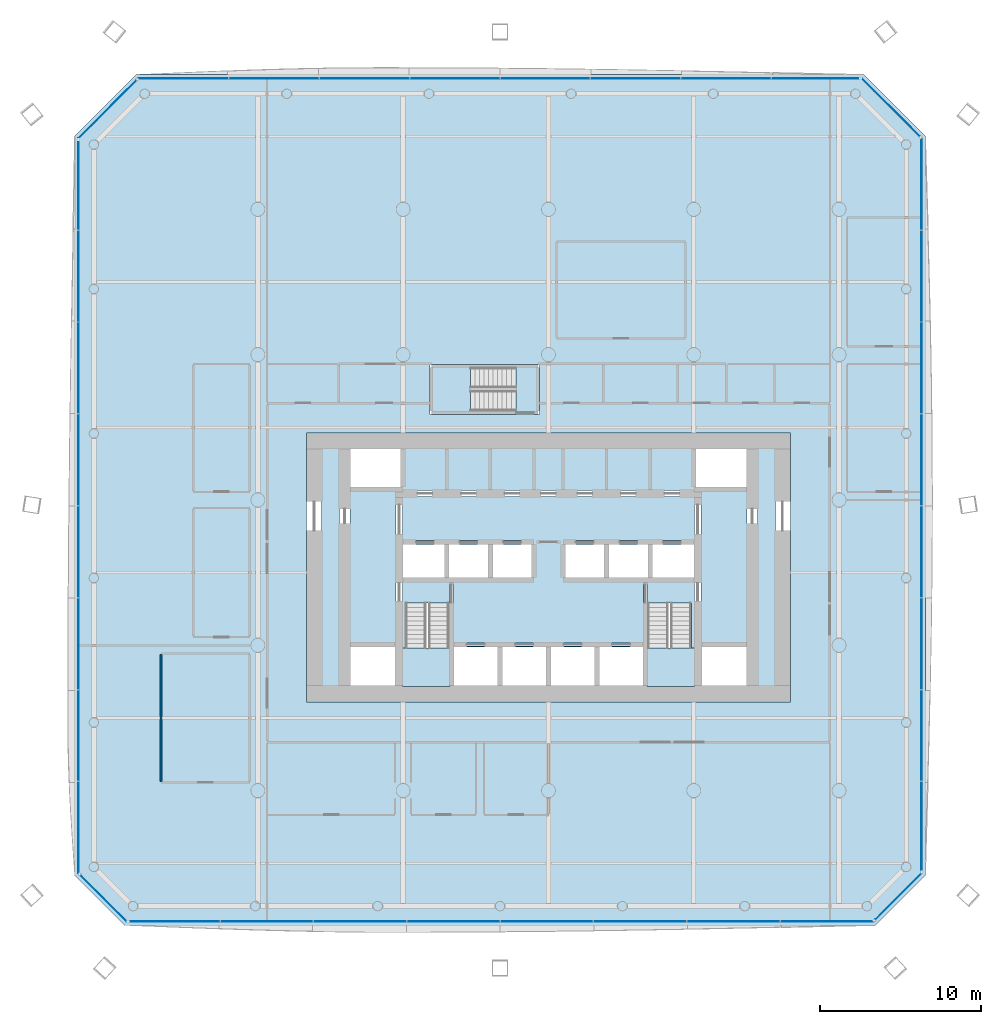
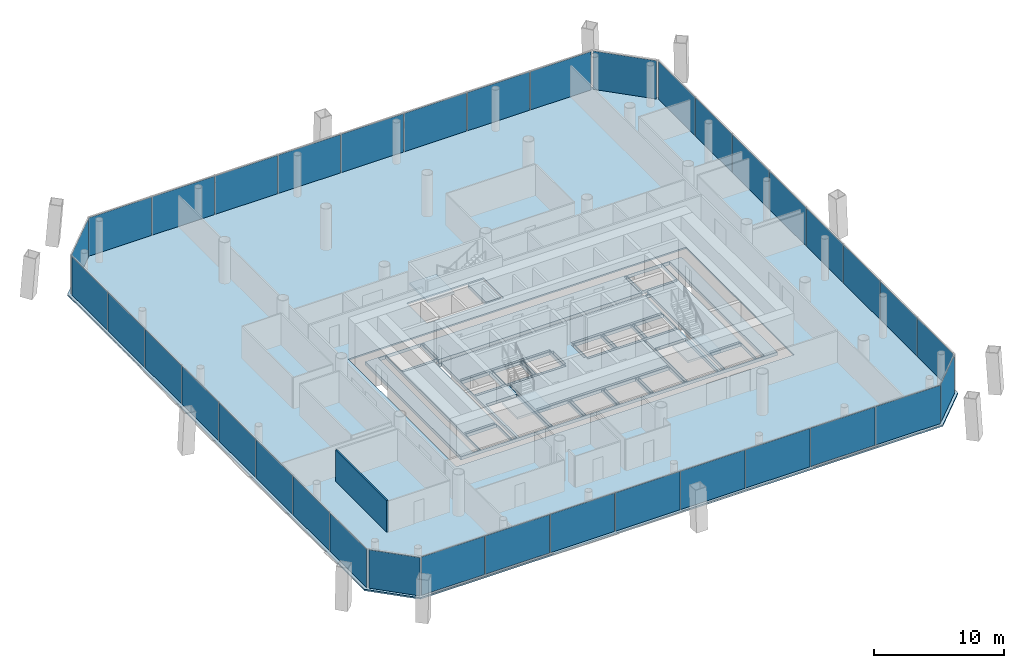
# One storey, part 11 of 20: 36 plates, 6 slabs, 1 wall, 11 elements without a shape of their own.
"""IFC4 building model written with IfcOpenShell, lengths in metres."""

from ifc_helpers import new_model, si_unit, direction, frame, frame_2d, origin, origin_2d, place, context, subcontext, project, spatial, polyline, rectangle, outline, extrude, material, layer, layer_set, type_object, element, aggregate, save


model = new_model("IFC4")

# Units and contexts
model_context = context("Model", 3, precision=1e-05, world=origin(), true_north=direction((0.0, 1.0)))
body_context = subcontext(model_context, "Body", "Model", "MODEL_VIEW")
ifc_project = project(units=[si_unit("LENGTHUNIT", "METRE"), si_unit("AREAUNIT", "SQUARE_METRE"), si_unit("VOLUMEUNIT", "CUBIC_METRE"), si_unit("PLANEANGLEUNIT", "RADIAN"), si_unit("MASSUNIT", "GRAM", prefix="KILO")], contexts=[model_context])

# Site, building, storey
site_placement = place(None, origin())
site = spatial("IfcSite", under=ifc_project, at=site_placement, CompositionType="ELEMENT")
building_placement = place(site_placement, origin())
building = spatial("IfcBuilding", under=site, at=building_placement, Name="Tskaro Facet Tower", CompositionType="ELEMENT")
storey_placement = place(building_placement, frame((0.0, 0.0, 49.800048828125)))
storey = spatial("IfcBuildingStorey", under=building, at=storey_placement, Name="L11", CompositionType="ELEMENT", Elevation=49.800048828125)

# Slab
ifc_material_1 = material(Name="Concrete C30/37", Category="concrete")
ifc_layer_1 = layer(ifc_material_1, 0.139892578125, Name="Concrete C30/37")
ifc_layer_set_1 = layer_set([ifc_layer_1], Name="Concrete C30/37")
slab_type_1 = type_object("IfcSlabType", Name="Composite deck floor slab", PredefinedType="FLOOR", material=ifc_layer_set_1)
slab_1_placement = place(storey_placement, frame((0.0, 0.0, -0.14013671875)))
element("IfcSlab", 1, at=slab_1_placement, inside=storey, type_object=slab_type_1, Name="Floor slab FS3 L11", PredefinedType="FLOOR", context=body_context, shape_type="SweptSolid", body=[
    extrude(outline(polyline([(-26.22607421875, -26.35693359375), (20.22607421875, -26.35693359375), (23.35693359375, -23.22607421875), (23.35693359375, 22.509033203125), (19.509033203125, 26.35693359375), (-25.509033203125, 26.35693359375), (-29.35693359375, 22.509033203125), (-29.35693359375, -23.22607421875), (-26.22607421875, -26.35693359375)]), holes=[polyline([(-15.0, -12.5), (15.0, -12.5), (15.0, 4.14990234375), (-15.0, 4.14990234375), (-15.0, -12.5)]), polyline([(-7.35009765625, 5.300048828125), (-0.550048828125, 5.300048828125), (-0.550048828125, 8.39990234375), (-7.35009765625, 8.39990234375), (-7.35009765625, 5.300048828125)])]), origin(), (0.0, 0.0, 1.0), 0.14013671875),
])

# Curtain wall, plates
ifc_material_2 = material(Name="Bronze anodised aluminium 6063-T6", Category="aluminium")
curtain_wall_type = type_object("IfcCurtainWallType", Name="Bronze office curtain wall (FW1)", PredefinedType="NOTDEFINED", material=ifc_material_2)
curtain_wall_1_placement = place(storey_placement, origin())
curtain_wall_1 = element("IfcCurtainWall", 2, at=curtain_wall_1_placement, inside=storey, type_object=curtain_wall_type, Name="FW1 south facet L11", PredefinedType="NOTDEFINED")
ifc_material_3 = material(Name="Bronze tinted glass", Category="glass")
ifc_layer_2 = layer(ifc_material_3, 0.031982421875, Name="Bronze tinted glass")
ifc_layer_set_2 = layer_set([ifc_layer_2], Name="Bronze tinted glass")
plate_type = type_object("IfcPlateType", Name="FW1 bronze-tinted unit glazing 32", PredefinedType="CURTAIN_PANEL", material=ifc_layer_set_2)
plate_1_placement = place(storey_placement, frame((-23.166748046875, -26.10693359375, 0.0), z_axis=(0.0, 0.0, 1.0), x_axis=(1.0, 0.0, 0.0)))
plate_1 = element("IfcPlate", 3, at=plate_1_placement, type_object=plate_type, Name="FW1 south glazing 1.1", PredefinedType="CURTAIN_PANEL", context=body_context, shape_type="SweptSolid", body=[
    extrude(rectangle(XDim=5.590576171875, YDim=0.031982421875, at=origin_2d()), origin(), (0.0, 0.0, 1.0), 3.60009765625),
])
plate_2_placement = place(storey_placement, frame((-17.451171875, -26.10693359375, 0.0), z_axis=(0.0, 0.0, 1.0), x_axis=(1.0, 0.0, 0.0)))
plate_2 = element("IfcPlate", 4, at=plate_2_placement, type_object=plate_type, Name="FW1 south glazing 2.1", PredefinedType="CURTAIN_PANEL", context=body_context, shape_type="SweptSolid", body=[
    extrude(rectangle(XDim=5.720458984375, YDim=0.031982421875, at=origin_2d()), origin(), (0.0, 0.0, 1.0), 3.60009765625),
])
plate_3_placement = place(storey_placement, frame((-11.670654296875, -26.10693359375, 0.0), z_axis=(0.0, 0.0, 1.0), x_axis=(1.0, 0.0, 0.0)))
plate_3 = element("IfcPlate", 5, at=plate_3_placement, type_object=plate_type, Name="FW1 south glazing 3.1", PredefinedType="CURTAIN_PANEL", context=body_context, shape_type="SweptSolid", body=[
    extrude(rectangle(XDim=5.720458984375, YDim=0.031982421875, at=origin_2d()), origin(), (0.0, 0.0, 1.0), 3.60009765625),
])
plate_4_placement = place(storey_placement, frame((-5.89013671875, -26.10693359375, 0.0), z_axis=(0.0, 0.0, 1.0), x_axis=(1.0, 0.0, 0.0)))
plate_4 = element("IfcPlate", 6, at=plate_4_placement, type_object=plate_type, Name="FW1 south glazing 4.1", PredefinedType="CURTAIN_PANEL", context=body_context, shape_type="SweptSolid", body=[
    extrude(rectangle(XDim=5.720458984375, YDim=0.031982421875, at=origin_2d()), origin(), (0.0, 0.0, 1.0), 3.60009765625),
])
plate_5_placement = place(storey_placement, frame((-0.10986328125, -26.10693359375, 0.0), z_axis=(0.0, 0.0, 1.0), x_axis=(1.0, 0.0, 0.0)))
plate_5 = element("IfcPlate", 7, at=plate_5_placement, type_object=plate_type, Name="FW1 south glazing 5.1", PredefinedType="CURTAIN_PANEL", context=body_context, shape_type="SweptSolid", body=[
    extrude(rectangle(XDim=5.720458984375, YDim=0.031982421875, at=origin_2d()), origin(), (0.0, 0.0, 1.0), 3.60009765625),
])
plate_6_placement = place(storey_placement, frame((5.670654296875, -26.10693359375, 0.0), z_axis=(0.0, 0.0, 1.0), x_axis=(1.0, 0.0, 0.0)))
plate_6 = element("IfcPlate", 8, at=plate_6_placement, type_object=plate_type, Name="FW1 south glazing 6.1", PredefinedType="CURTAIN_PANEL", context=body_context, shape_type="SweptSolid", body=[
    extrude(rectangle(XDim=5.720458984375, YDim=0.031982421875, at=origin_2d()), origin(), (0.0, 0.0, 1.0), 3.60009765625),
])
plate_7_placement = place(storey_placement, frame((11.451171875, -26.10693359375, 0.0), z_axis=(0.0, 0.0, 1.0), x_axis=(1.0, 0.0, 0.0)))
plate_7 = element("IfcPlate", 9, at=plate_7_placement, type_object=plate_type, Name="FW1 south glazing 7.1", PredefinedType="CURTAIN_PANEL", context=body_context, shape_type="SweptSolid", body=[
    extrude(rectangle(XDim=5.720458984375, YDim=0.031982421875, at=origin_2d()), origin(), (0.0, 0.0, 1.0), 3.60009765625),
])
plate_8_placement = place(storey_placement, frame((17.246826171875, -26.10693359375, 0.0), z_axis=(0.0, 0.0, 1.0), x_axis=(1.0, 0.0, 0.0)))
plate_8 = element("IfcPlate", 10, at=plate_8_placement, type_object=plate_type, Name="FW1 south glazing 8.1", PredefinedType="CURTAIN_PANEL", context=body_context, shape_type="SweptSolid", body=[
    extrude(rectangle(XDim=5.75048828125, YDim=0.031982421875, at=origin_2d()), origin(), (0.0, 0.0, 1.0), 3.60009765625),
])
aggregate(curtain_wall_1, [plate_1, plate_2, plate_3, plate_4, plate_5, plate_6, plate_7, plate_8])

# Curtain wall, plate
curtain_wall_2_placement = place(storey_placement, origin())
curtain_wall_2 = element("IfcCurtainWall", 11, at=curtain_wall_2_placement, inside=storey, type_object=curtain_wall_type, Name="FW1 south-east facet L11", PredefinedType="NOTDEFINED")
plate_9_placement = place(storey_placement, frame((21.671142578125, -24.557861328125, 0.0), z_axis=(0.0, 0.0, 1.0), x_axis=(0.707106781187, 0.707106781187, 0.0)))
plate_9 = element("IfcPlate", 12, at=plate_9_placement, type_object=plate_type, Name="FW1 south-east glazing 1.1", PredefinedType="CURTAIN_PANEL", context=body_context, shape_type="SweptSolid", body=[
    extrude(rectangle(XDim=4.0615234375, YDim=0.031982421875, at=origin_2d()), origin(), (0.0, 0.0, 1.0), 3.60009765625),
])
aggregate(curtain_wall_2, [plate_9])

# Curtain wall, plates
curtain_wall_3_placement = place(storey_placement, origin())
curtain_wall_3 = element("IfcCurtainWall", 13, at=curtain_wall_3_placement, inside=storey, type_object=curtain_wall_type, Name="FW1 east facet L11", PredefinedType="NOTDEFINED")
plate_10_placement = place(storey_placement, frame((23.10693359375, -20.211669921875, 0.0), z_axis=(0.0, 0.0, 1.0), x_axis=(0.0, 1.0, 0.0)))
plate_10 = element("IfcPlate", 14, at=plate_10_placement, type_object=plate_type, Name="FW1 east glazing 1.1", PredefinedType="CURTAIN_PANEL", context=body_context, shape_type="SweptSolid", body=[
    extrude(rectangle(XDim=5.5009765625, YDim=0.031982421875, at=origin_2d()), origin(), (0.0, 0.0, 1.0), 3.60009765625),
])
plate_11_placement = place(storey_placement, frame((23.10693359375, -14.585693359375, 0.0), z_axis=(0.0, 0.0, 1.0), x_axis=(0.0, 1.0, 0.0)))
plate_11 = element("IfcPlate", 15, at=plate_11_placement, type_object=plate_type, Name="FW1 east glazing 2.1", PredefinedType="CURTAIN_PANEL", context=body_context, shape_type="SweptSolid", body=[
    extrude(rectangle(XDim=5.630859375, YDim=0.031982421875, at=origin_2d()), origin(), (0.0, 0.0, 1.0), 3.60009765625),
])
plate_12_placement = place(storey_placement, frame((23.10693359375, -8.894775390625, 0.0), z_axis=(0.0, 0.0, 1.0), x_axis=(0.0, 1.0, 0.0)))
plate_12 = element("IfcPlate", 16, at=plate_12_placement, type_object=plate_type, Name="FW1 east glazing 3.1", PredefinedType="CURTAIN_PANEL", context=body_context, shape_type="SweptSolid", body=[
    extrude(rectangle(XDim=5.630859375, YDim=0.031982421875, at=origin_2d()), origin(), (0.0, 0.0, 1.0), 3.60009765625),
])
plate_13_placement = place(storey_placement, frame((23.10693359375, -3.203857421875, 0.0), z_axis=(0.0, 0.0, 1.0), x_axis=(0.0, 1.0, 0.0)))
plate_13 = element("IfcPlate", 17, at=plate_13_placement, type_object=plate_type, Name="FW1 east glazing 4.1", PredefinedType="CURTAIN_PANEL", context=body_context, shape_type="SweptSolid", body=[
    extrude(rectangle(XDim=5.630859375, YDim=0.031982421875, at=origin_2d()), origin(), (0.0, 0.0, 1.0), 3.60009765625),
])
plate_14_placement = place(storey_placement, frame((23.10693359375, 2.48681640625, 0.0), z_axis=(0.0, 0.0, 1.0), x_axis=(0.0, 1.0, 0.0)))
plate_14 = element("IfcPlate", 18, at=plate_14_placement, type_object=plate_type, Name="FW1 east glazing 5.1", PredefinedType="CURTAIN_PANEL", context=body_context, shape_type="SweptSolid", body=[
    extrude(rectangle(XDim=5.630859375, YDim=0.031982421875, at=origin_2d()), origin(), (0.0, 0.0, 1.0), 3.60009765625),
])
plate_15_placement = place(storey_placement, frame((23.10693359375, 8.177734375, 0.0), z_axis=(0.0, 0.0, 1.0), x_axis=(0.0, 1.0, 0.0)))
plate_15 = element("IfcPlate", 19, at=plate_15_placement, type_object=plate_type, Name="FW1 east glazing 6.1", PredefinedType="CURTAIN_PANEL", context=body_context, shape_type="SweptSolid", body=[
    extrude(rectangle(XDim=5.630859375, YDim=0.031982421875, at=origin_2d()), origin(), (0.0, 0.0, 1.0), 3.60009765625),
])
plate_16_placement = place(storey_placement, frame((23.10693359375, 13.86865234375, 0.0), z_axis=(0.0, 0.0, 1.0), x_axis=(0.0, 1.0, 0.0)))
plate_16 = element("IfcPlate", 20, at=plate_16_placement, type_object=plate_type, Name="FW1 east glazing 7.1", PredefinedType="CURTAIN_PANEL", context=body_context, shape_type="SweptSolid", body=[
    extrude(rectangle(XDim=5.630859375, YDim=0.031982421875, at=origin_2d()), origin(), (0.0, 0.0, 1.0), 3.60009765625),
])
plate_17_placement = place(storey_placement, frame((23.10693359375, 19.574462890625, 0.0), z_axis=(0.0, 0.0, 1.0), x_axis=(0.0, 1.0, 0.0)))
plate_17 = element("IfcPlate", 21, at=plate_17_placement, type_object=plate_type, Name="FW1 east glazing 8.1", PredefinedType="CURTAIN_PANEL", context=body_context, shape_type="SweptSolid", body=[
    extrude(rectangle(XDim=5.660888671875, YDim=0.031982421875, at=origin_2d()), origin(), (0.0, 0.0, 1.0), 3.60009765625),
])
aggregate(curtain_wall_3, [plate_10, plate_11, plate_12, plate_13, plate_14, plate_15, plate_16, plate_17])

# Curtain wall, plate
curtain_wall_4_placement = place(storey_placement, origin())
curtain_wall_4 = element("IfcCurtainWall", 22, at=curtain_wall_4_placement, inside=storey, type_object=curtain_wall_type, Name="FW1 north-east facet L11", PredefinedType="NOTDEFINED")
plate_18_placement = place(storey_placement, frame((21.199462890625, 24.3125, 0.0), z_axis=(0.0, 0.0, 1.0), x_axis=(-0.707106781187, 0.707106781187, 0.0)))
plate_18 = element("IfcPlate", 23, at=plate_18_placement, type_object=plate_type, Name="FW1 north-east glazing 1.1", PredefinedType="CURTAIN_PANEL", context=body_context, shape_type="SweptSolid", body=[
    extrude(rectangle(XDim=5.075439453125, YDim=0.031982421875, at=origin_2d()), origin(), (0.0, 0.0, 1.0), 3.60009765625),
])
aggregate(curtain_wall_4, [plate_18])

# Curtain wall, plates
curtain_wall_5_placement = place(storey_placement, origin())
curtain_wall_5 = element("IfcCurtainWall", 24, at=curtain_wall_5_placement, inside=storey, type_object=curtain_wall_type, Name="FW1 north facet L11", PredefinedType="NOTDEFINED")
plate_19_placement = place(storey_placement, frame((16.539306640625, 26.10693359375, 0.0), z_axis=(0.0, 0.0, 1.0), x_axis=(-1.0, 0.0, 0.0)))
plate_19 = element("IfcPlate", 25, at=plate_19_placement, type_object=plate_type, Name="FW1 north glazing 1.1", PredefinedType="CURTAIN_PANEL", context=body_context, shape_type="SweptSolid", body=[
    extrude(rectangle(XDim=5.4111328125, YDim=0.031982421875, at=origin_2d()), origin(), (0.0, 0.0, 1.0), 3.60009765625),
])
plate_20_placement = place(storey_placement, frame((11.003173828125, 26.10693359375, 0.0), z_axis=(0.0, 0.0, 1.0), x_axis=(-1.0, 0.0, 0.0)))
plate_20 = element("IfcPlate", 26, at=plate_20_placement, type_object=plate_type, Name="FW1 north glazing 2.1", PredefinedType="CURTAIN_PANEL", context=body_context, shape_type="SweptSolid", body=[
    extrude(rectangle(XDim=5.541259765625, YDim=0.031982421875, at=origin_2d()), origin(), (0.0, 0.0, 1.0), 3.60009765625),
])
plate_21_placement = place(storey_placement, frame((5.40185546875, 26.10693359375, 0.0), z_axis=(0.0, 0.0, 1.0), x_axis=(-1.0, 0.0, 0.0)))
plate_21 = element("IfcPlate", 27, at=plate_21_placement, type_object=plate_type, Name="FW1 north glazing 3.1", PredefinedType="CURTAIN_PANEL", context=body_context, shape_type="SweptSolid", body=[
    extrude(rectangle(XDim=5.541259765625, YDim=0.031982421875, at=origin_2d()), origin(), (0.0, 0.0, 1.0), 3.60009765625),
])
plate_22_placement = place(storey_placement, frame((-0.199462890625, 26.10693359375, 0.0), z_axis=(0.0, 0.0, 1.0), x_axis=(-1.0, 0.0, 0.0)))
plate_22 = element("IfcPlate", 28, at=plate_22_placement, type_object=plate_type, Name="FW1 north glazing 4.1", PredefinedType="CURTAIN_PANEL", context=body_context, shape_type="SweptSolid", body=[
    extrude(rectangle(XDim=5.541259765625, YDim=0.031982421875, at=origin_2d()), origin(), (0.0, 0.0, 1.0), 3.60009765625),
])
plate_23_placement = place(storey_placement, frame((-5.800537109375, 26.10693359375, 0.0), z_axis=(0.0, 0.0, 1.0), x_axis=(-1.0, 0.0, 0.0)))
plate_23 = element("IfcPlate", 29, at=plate_23_placement, type_object=plate_type, Name="FW1 north glazing 5.1", PredefinedType="CURTAIN_PANEL", context=body_context, shape_type="SweptSolid", body=[
    extrude(rectangle(XDim=5.541259765625, YDim=0.031982421875, at=origin_2d()), origin(), (0.0, 0.0, 1.0), 3.60009765625),
])
plate_24_placement = place(storey_placement, frame((-11.40185546875, 26.10693359375, 0.0), z_axis=(0.0, 0.0, 1.0), x_axis=(-1.0, 0.0, 0.0)))
plate_24 = element("IfcPlate", 30, at=plate_24_placement, type_object=plate_type, Name="FW1 north glazing 6.1", PredefinedType="CURTAIN_PANEL", context=body_context, shape_type="SweptSolid", body=[
    extrude(rectangle(XDim=5.541259765625, YDim=0.031982421875, at=origin_2d()), origin(), (0.0, 0.0, 1.0), 3.60009765625),
])
plate_25_placement = place(storey_placement, frame((-17.003173828125, 26.10693359375, 0.0), z_axis=(0.0, 0.0, 1.0), x_axis=(-1.0, 0.0, 0.0)))
plate_25 = element("IfcPlate", 31, at=plate_25_placement, type_object=plate_type, Name="FW1 north glazing 7.1", PredefinedType="CURTAIN_PANEL", context=body_context, shape_type="SweptSolid", body=[
    extrude(rectangle(XDim=5.541259765625, YDim=0.031982421875, at=origin_2d()), origin(), (0.0, 0.0, 1.0), 3.60009765625),
])
plate_26_placement = place(storey_placement, frame((-22.619384765625, 26.10693359375, 0.0), z_axis=(0.0, 0.0, 1.0), x_axis=(-1.0, 0.0, 0.0)))
plate_26 = element("IfcPlate", 32, at=plate_26_placement, type_object=plate_type, Name="FW1 north glazing 8.1", PredefinedType="CURTAIN_PANEL", context=body_context, shape_type="SweptSolid", body=[
    extrude(rectangle(XDim=5.5712890625, YDim=0.031982421875, at=origin_2d()), origin(), (0.0, 0.0, 1.0), 3.60009765625),
])
aggregate(curtain_wall_5, [plate_19, plate_20, plate_21, plate_22, plate_23, plate_24, plate_25, plate_26])

# Curtain wall, plate
curtain_wall_6_placement = place(storey_placement, origin())
curtain_wall_6 = element("IfcCurtainWall", 33, at=curtain_wall_6_placement, inside=storey, type_object=curtain_wall_type, Name="FW1 north-west facet L11", PredefinedType="NOTDEFINED")
plate_27_placement = place(storey_placement, frame((-27.3125, 24.199462890625, 0.0), z_axis=(0.0, 0.0, 1.0), x_axis=(-0.707106781187, -0.707106781187, 0.0)))
plate_27 = element("IfcPlate", 34, at=plate_27_placement, type_object=plate_type, Name="FW1 north-west glazing 1.1", PredefinedType="CURTAIN_PANEL", context=body_context, shape_type="SweptSolid", body=[
    extrude(rectangle(XDim=5.075439453125, YDim=0.031982421875, at=origin_2d()), origin(), (0.0, 0.0, 1.0), 3.60009765625),
])
aggregate(curtain_wall_6, [plate_27])

# Curtain wall, plates
curtain_wall_7_placement = place(storey_placement, origin())
curtain_wall_7 = element("IfcCurtainWall", 35, at=curtain_wall_7_placement, inside=storey, type_object=curtain_wall_type, Name="FW1 west facet L11", PredefinedType="NOTDEFINED")
plate_28_placement = place(storey_placement, frame((-29.10693359375, 19.49462890625, 0.0), z_axis=(0.0, 0.0, 1.0), x_axis=(0.0, -1.0, 0.0)))
plate_28 = element("IfcPlate", 36, at=plate_28_placement, type_object=plate_type, Name="FW1 west glazing 1.1", PredefinedType="CURTAIN_PANEL", context=body_context, shape_type="SweptSolid", body=[
    extrude(rectangle(XDim=5.5009765625, YDim=0.031982421875, at=origin_2d()), origin(), (0.0, 0.0, 1.0), 3.60009765625),
])
plate_29_placement = place(storey_placement, frame((-29.10693359375, 13.86865234375, 0.0), z_axis=(0.0, 0.0, 1.0), x_axis=(0.0, -1.0, 0.0)))
plate_29 = element("IfcPlate", 37, at=plate_29_placement, type_object=plate_type, Name="FW1 west glazing 2.1", PredefinedType="CURTAIN_PANEL", context=body_context, shape_type="SweptSolid", body=[
    extrude(rectangle(XDim=5.630859375, YDim=0.031982421875, at=origin_2d()), origin(), (0.0, 0.0, 1.0), 3.60009765625),
])
plate_30_placement = place(storey_placement, frame((-29.10693359375, 8.177734375, 0.0), z_axis=(0.0, 0.0, 1.0), x_axis=(0.0, -1.0, 0.0)))
plate_30 = element("IfcPlate", 38, at=plate_30_placement, type_object=plate_type, Name="FW1 west glazing 3.1", PredefinedType="CURTAIN_PANEL", context=body_context, shape_type="SweptSolid", body=[
    extrude(rectangle(XDim=5.630859375, YDim=0.031982421875, at=origin_2d()), origin(), (0.0, 0.0, 1.0), 3.60009765625),
])
plate_31_placement = place(storey_placement, frame((-29.10693359375, 2.48681640625, 0.0), z_axis=(0.0, 0.0, 1.0), x_axis=(0.0, -1.0, 0.0)))
plate_31 = element("IfcPlate", 39, at=plate_31_placement, type_object=plate_type, Name="FW1 west glazing 4.1", PredefinedType="CURTAIN_PANEL", context=body_context, shape_type="SweptSolid", body=[
    extrude(rectangle(XDim=5.630859375, YDim=0.031982421875, at=origin_2d()), origin(), (0.0, 0.0, 1.0), 3.60009765625),
])
plate_32_placement = place(storey_placement, frame((-29.10693359375, -3.203857421875, 0.0), z_axis=(0.0, 0.0, 1.0), x_axis=(0.0, -1.0, 0.0)))
plate_32 = element("IfcPlate", 40, at=plate_32_placement, type_object=plate_type, Name="FW1 west glazing 5.1", PredefinedType="CURTAIN_PANEL", context=body_context, shape_type="SweptSolid", body=[
    extrude(rectangle(XDim=5.630859375, YDim=0.031982421875, at=origin_2d()), origin(), (0.0, 0.0, 1.0), 3.60009765625),
])
plate_33_placement = place(storey_placement, frame((-29.10693359375, -8.894775390625, 0.0), z_axis=(0.0, 0.0, 1.0), x_axis=(0.0, -1.0, 0.0)))
plate_33 = element("IfcPlate", 41, at=plate_33_placement, type_object=plate_type, Name="FW1 west glazing 6.1", PredefinedType="CURTAIN_PANEL", context=body_context, shape_type="SweptSolid", body=[
    extrude(rectangle(XDim=5.630859375, YDim=0.031982421875, at=origin_2d()), origin(), (0.0, 0.0, 1.0), 3.60009765625),
])
plate_34_placement = place(storey_placement, frame((-29.10693359375, -14.585693359375, 0.0), z_axis=(0.0, 0.0, 1.0), x_axis=(0.0, -1.0, 0.0)))
plate_34 = element("IfcPlate", 42, at=plate_34_placement, type_object=plate_type, Name="FW1 west glazing 7.1", PredefinedType="CURTAIN_PANEL", context=body_context, shape_type="SweptSolid", body=[
    extrude(rectangle(XDim=5.630859375, YDim=0.031982421875, at=origin_2d()), origin(), (0.0, 0.0, 1.0), 3.60009765625),
])
plate_35_placement = place(storey_placement, frame((-29.10693359375, -20.29150390625, 0.0), z_axis=(0.0, 0.0, 1.0), x_axis=(0.0, -1.0, 0.0)))
plate_35 = element("IfcPlate", 43, at=plate_35_placement, type_object=plate_type, Name="FW1 west glazing 8.1", PredefinedType="CURTAIN_PANEL", context=body_context, shape_type="SweptSolid", body=[
    extrude(rectangle(XDim=5.660888671875, YDim=0.031982421875, at=origin_2d()), origin(), (0.0, 0.0, 1.0), 3.60009765625),
])
aggregate(curtain_wall_7, [plate_28, plate_29, plate_30, plate_31, plate_32, plate_33, plate_34, plate_35])

# Curtain wall, plate
curtain_wall_8_placement = place(storey_placement, origin())
curtain_wall_8 = element("IfcCurtainWall", 44, at=curtain_wall_8_placement, inside=storey, type_object=curtain_wall_type, Name="FW1 south-west facet L11", PredefinedType="NOTDEFINED")
plate_36_placement = place(storey_placement, frame((-27.557861328125, -24.671142578125, 0.0), z_axis=(0.0, 0.0, 1.0), x_axis=(0.707106781187, -0.707106781187, 0.0)))
plate_36 = element("IfcPlate", 45, at=plate_36_placement, type_object=plate_type, Name="FW1 south-west glazing 1.1", PredefinedType="CURTAIN_PANEL", context=body_context, shape_type="SweptSolid", body=[
    extrude(rectangle(XDim=4.0615234375, YDim=0.031982421875, at=origin_2d()), origin(), (0.0, 0.0, 1.0), 3.60009765625),
])
aggregate(curtain_wall_8, [plate_36])

# Stair, slab
ifc_material_4 = material(Name="Concrete C40/50", Category="concrete")
stair_type = type_object("IfcStairType", Name="ST-TWR", PredefinedType="HALF_TURN_STAIR", material=ifc_material_4)
stair_1_placement = place(storey_placement, origin())
stair_1 = element("IfcStair", 46, at=stair_1_placement, inside=storey, type_object=stair_type, Name="L11 Exit stair 1", PredefinedType="HALF_TURN_STAIR")
ifc_layer_3 = layer(ifc_material_4, 0.199951171875, Name="Concrete C40/50")
ifc_layer_set_3 = layer_set([ifc_layer_3], Name="Concrete C40/50")
slab_type_2 = type_object("IfcSlabType", Name="SL-LANDING", PredefinedType="LANDING", material=ifc_layer_set_3)
slab_2_placement = place(storey_placement, frame((0.0, 0.0, 1.75)))
slab_2 = element("IfcSlab", 47, at=slab_2_placement, type_object=slab_type_2, Name="ST-1 landing 1", PredefinedType="LANDING", context=body_context, shape_type="SweptSolid", body=[
    extrude(outline(polyline([(-9.050048828125, -11.550048828125), (-6.10009765625, -11.550048828125), (-6.10009765625, -9.175048828125), (-9.050048828125, -9.175048828125), (-9.050048828125, -11.550048828125)])), origin(), (0.0, 0.0, 1.0), 0.199951171875),
])
aggregate(stair_1, [slab_2])

stair_2_placement = place(storey_placement, origin())
stair_2 = element("IfcStair", 48, at=stair_2_placement, inside=storey, type_object=stair_type, Name="L11 Exit stair 2", PredefinedType="HALF_TURN_STAIR")
slab_3_placement = place(storey_placement, frame((0.0, 0.0, 1.75)))
slab_3 = element("IfcSlab", 49, at=slab_3_placement, type_object=slab_type_2, Name="ST-2 landing 1", PredefinedType="LANDING", context=body_context, shape_type="SweptSolid", body=[
    extrude(outline(polyline([(6.10009765625, -11.550048828125), (9.050048828125, -11.550048828125), (9.050048828125, -9.175048828125), (6.10009765625, -9.175048828125), (6.10009765625, -11.550048828125)])), origin(), (0.0, 0.0, 1.0), 0.199951171875),
])
aggregate(stair_2, [slab_3])

stair_3_placement = place(storey_placement, origin())
stair_3 = element("IfcStair", 50, at=stair_3_placement, inside=storey, type_object=stair_type, Name="L11 Exit stair 3", PredefinedType="HALF_TURN_STAIR")
slab_4_placement = place(storey_placement, frame((0.0, 0.0, 1.75)))
slab_4 = element("IfcSlab", 51, at=slab_4_placement, type_object=slab_type_2, Name="ST-3 landing 1", PredefinedType="LANDING", context=body_context, shape_type="SweptSolid", body=[
    extrude(outline(polyline([(-7.199951171875, 5.449951171875), (-4.824951171875, 5.449951171875), (-4.824951171875, 8.25), (-7.199951171875, 8.25), (-7.199951171875, 5.449951171875)])), origin(), (0.0, 0.0, 1.0), 0.199951171875),
])
aggregate(stair_3, [slab_4])

# Slabs
ifc_material_5 = material(Name="Concrete C60/75", Category="concrete")
ifc_layer_4 = layer(ifc_material_5, 0.300048828125, Name="Concrete C60/75")
ifc_layer_set_4 = layer_set([ifc_layer_4], Name="Concrete C60/75")
slab_type_3 = type_object("IfcSlabType", Name="SLAB-CORE", PredefinedType="FLOOR", material=ifc_layer_set_4)
slab_5_placement = place(storey_placement, frame((0.0, 0.0, -0.300048828125)))
element("IfcSlab", 52, at=slab_5_placement, inside=storey, type_object=slab_type_3, Name="Core floor slab 1", PredefinedType="FLOOR", context=body_context, shape_type="SweptSolid", body=[
    extrude(outline(polyline([(-14.050048828125, 3.199951171875), (14.050048828125, 3.199951171875), (14.050048828125, 3.10009765625), (14.050048828125, -11.449951171875), (14.050048828125, -11.550048828125), (-14.050048828125, -11.550048828125), (-14.050048828125, -11.449951171875), (-14.050048828125, 3.10009765625), (-14.050048828125, 3.199951171875)]), holes=[polyline([(-9.5, -9.10009765625), (-12.25, -9.10009765625), (-12.25, -11.5), (-9.5, -11.5), (-9.5, -9.10009765625)]), polyline([(-3.14990234375, -9.10009765625), (-5.85009765625, -9.10009765625), (-5.85009765625, -11.5), (-3.14990234375, -11.5), (-3.14990234375, -9.10009765625)]), polyline([(-12.199951171875, -8.85009765625), (-12.199951171875, -9.050048828125), (-9.550048828125, -9.050048828125), (-9.550048828125, -8.85009765625), (-12.199951171875, -8.85009765625)]), polyline([(-6.10009765625, -11.449951171875), (-5.89990234375, -11.449951171875), (-5.89990234375, -5.14990234375), (-6.10009765625, -5.14990234375), (-6.10009765625, -11.449951171875)]), polyline([(-9.449951171875, 0.10009765625), (-9.449951171875, -11.449951171875), (-9.050048828125, -11.449951171875), (-9.050048828125, 0.10009765625), (-9.449951171875, 0.10009765625)]), polyline([(-8.949951171875, -4.85009765625), (-8.949951171875, -5.050048828125), (-0.949951171875, -5.050048828125), (-0.949951171875, -4.85009765625), (-8.949951171875, -4.85009765625)]), polyline([(-12.949951171875, -11.449951171875), (-12.300048828125, -11.449951171875), (-12.300048828125, 3.10009765625), (-12.949951171875, 3.10009765625), (-12.949951171875, -11.449951171875)]), polyline([(-6.449951171875, -4.800048828125), (-6.449951171875, -2.75), (-9.0, -2.75), (-9.0, -4.800048828125), (-6.449951171875, -4.800048828125)]), polyline([(-3.75, -4.800048828125), (-3.75, -2.75), (-6.14990234375, -2.75), (-6.14990234375, -4.800048828125), (-3.75, -4.800048828125)]), polyline([(-6.39990234375, -2.800048828125), (-6.39990234375, -4.75), (-6.199951171875, -4.75), (-6.199951171875, -2.800048828125), (-6.39990234375, -2.800048828125)]), polyline([(-8.949951171875, -2.5), (-8.949951171875, -2.699951171875), (-0.949951171875, -2.699951171875), (-0.949951171875, -2.5), (-8.949951171875, -2.5)]), polyline([(9.449951171875, 0.550048828125), (12.199951171875, 0.550048828125), (12.199951171875, 0.75), (9.050048828125, 0.75), (9.050048828125, 0.60009765625), (-9.050048828125, 0.60009765625), (-9.050048828125, 0.75), (-12.199951171875, 0.75), (-12.199951171875, 0.550048828125), (-9.449951171875, 0.550048828125), (-9.449951171875, 0.199951171875), (9.449951171875, 0.199951171875), (9.449951171875, 0.550048828125)]), polyline([(-9.10009765625, 3.10009765625), (-9.10009765625, 0.85009765625), (-8.89990234375, 0.85009765625), (-8.89990234375, 3.10009765625), (-9.10009765625, 3.10009765625)]), polyline([(-9.14990234375, 0.800048828125), (-9.14990234375, 3.14990234375), (-12.25, 3.14990234375), (-12.25, 0.800048828125), (-9.14990234375, 0.800048828125)]), polyline([(2.89990234375, -11.449951171875), (3.10009765625, -11.449951171875), (3.10009765625, -9.14990234375), (2.89990234375, -9.14990234375), (2.89990234375, -11.449951171875)]), polyline([(-3.10009765625, -9.14990234375), (-3.10009765625, -11.449951171875), (-2.89990234375, -11.449951171875), (-2.89990234375, -9.14990234375), (-3.10009765625, -9.14990234375)]), polyline([(2.85009765625, -9.10009765625), (0.14990234375, -9.10009765625), (0.14990234375, -11.5), (2.85009765625, -11.5), (2.85009765625, -9.10009765625)]), polyline([(-0.14990234375, -9.10009765625), (-2.85009765625, -9.10009765625), (-2.85009765625, -11.5), (-0.14990234375, -11.5), (-0.14990234375, -9.10009765625)]), polyline([(-0.10009765625, -9.14990234375), (-0.10009765625, -11.449951171875), (0.10009765625, -11.449951171875), (0.10009765625, -9.14990234375), (-0.10009765625, -9.14990234375)]), polyline([(-5.800048828125, -8.85009765625), (-5.800048828125, -9.050048828125), (5.800048828125, -9.050048828125), (5.800048828125, -8.85009765625), (-5.800048828125, -8.85009765625)]), polyline([(-1.0, -2.800048828125), (-1.0, -4.75), (-0.800048828125, -4.75), (-0.800048828125, -2.800048828125), (-1.0, -2.800048828125)]), polyline([(0.800048828125, -4.75), (1.0, -4.75), (1.0, -2.800048828125), (0.800048828125, -2.800048828125), (0.800048828125, -4.75)]), polyline([(-3.449951171875, -4.800048828125), (-1.050048828125, -4.800048828125), (-1.050048828125, -2.75), (-3.449951171875, -2.75), (-3.449951171875, -4.800048828125)]), polyline([(1.050048828125, -2.75), (1.050048828125, -4.800048828125), (3.449951171875, -4.800048828125), (3.449951171875, -2.75), (1.050048828125, -2.75)]), polyline([(-3.699951171875, -4.75), (-3.5, -4.75), (-3.5, -2.800048828125), (-3.699951171875, -2.800048828125), (-3.699951171875, -4.75)]), polyline([(3.14990234375, -9.10009765625), (3.14990234375, -11.5), (5.85009765625, -11.5), (5.85009765625, -9.10009765625), (3.14990234375, -9.10009765625)]), polyline([(12.25, -11.5), (12.25, -9.10009765625), (9.5, -9.10009765625), (9.5, -11.5), (12.25, -11.5)]), polyline([(9.550048828125, -8.85009765625), (9.550048828125, -9.050048828125), (12.199951171875, -9.050048828125), (12.199951171875, -8.85009765625), (9.550048828125, -8.85009765625)]), polyline([(5.89990234375, -11.449951171875), (6.10009765625, -11.449951171875), (6.10009765625, -5.14990234375), (5.89990234375, -5.14990234375), (5.89990234375, -11.449951171875)]), polyline([(9.050048828125, 0.10009765625), (9.050048828125, -11.449951171875), (9.449951171875, -11.449951171875), (9.449951171875, 0.10009765625), (9.050048828125, 0.10009765625)]), polyline([(0.949951171875, -4.85009765625), (0.949951171875, -5.050048828125), (8.949951171875, -5.050048828125), (8.949951171875, -4.85009765625), (0.949951171875, -4.85009765625)]), polyline([(12.300048828125, -11.449951171875), (12.949951171875, -11.449951171875), (12.949951171875, 3.10009765625), (12.300048828125, 3.10009765625), (12.300048828125, -11.449951171875)]), polyline([(3.5, -2.800048828125), (3.5, -4.75), (3.699951171875, -4.75), (3.699951171875, -2.800048828125), (3.5, -2.800048828125)]), polyline([(6.14990234375, -2.75), (3.75, -2.75), (3.75, -4.800048828125), (6.14990234375, -4.800048828125), (6.14990234375, -2.75)]), polyline([(6.199951171875, -2.800048828125), (6.199951171875, -4.75), (6.39990234375, -4.75), (6.39990234375, -2.800048828125), (6.199951171875, -2.800048828125)]), polyline([(6.449951171875, -2.75), (6.449951171875, -4.800048828125), (9.0, -4.800048828125), (9.0, -2.75), (6.449951171875, -2.75)]), polyline([(0.949951171875, -2.5), (0.949951171875, -2.699951171875), (8.949951171875, -2.699951171875), (8.949951171875, -2.5), (0.949951171875, -2.5)]), polyline([(8.89990234375, 3.10009765625), (8.89990234375, 0.85009765625), (9.10009765625, 0.85009765625), (9.10009765625, 3.10009765625), (8.89990234375, 3.10009765625)]), polyline([(9.14990234375, 0.800048828125), (12.25, 0.800048828125), (12.25, 3.14990234375), (9.14990234375, 3.14990234375), (9.14990234375, 0.800048828125)]), polyline([(-8.85009765625, -11.5), (-6.14990234375, -11.5), (-6.14990234375, -6.39501953125), (-8.85009765625, -6.39501953125), (-8.85009765625, -11.5)]), polyline([(6.14990234375, -6.39501953125), (6.14990234375, -11.5), (8.85009765625, -11.5), (8.85009765625, -6.39501953125), (6.14990234375, -6.39501953125)])]), origin(), (0.0, 0.0, 1.0), 0.300048828125),
])
slab_6_placement = place(storey_placement, frame((0.0, 0.0, -0.300048828125)))
element("IfcSlab", 53, at=slab_6_placement, inside=storey, type_object=slab_type_3, Name="Stair 3 floor landing 1", PredefinedType="FLOOR", context=body_context, shape_type="SweptSolid", body=[
    extrude(outline(polyline([(-2.02490234375, 5.449951171875), (-0.699951171875, 5.449951171875), (-0.699951171875, 8.25), (-2.02490234375, 8.25), (-2.02490234375, 5.449951171875)])), origin(), (0.0, 0.0, 1.0), 0.300048828125),
])

# Wall
ifc_material_6 = material(Name="Gypsum board on steel studs", Category="steel")
ifc_layer_5 = layer(ifc_material_6, 0.125, Name="Gypsum board on steel studs")
ifc_layer_set_5 = layer_set([ifc_layer_5], Name="Gypsum board on steel studs")
wall_type = type_object("IfcWallType", Name="PART", PredefinedType="PARTITIONING", material=ifc_layer_set_5)
wall_placement = place(storey_placement, frame((-24.0, -17.4375, 0.0), z_axis=(0.0, 0.0, 1.0), x_axis=(0.0, 1.0, 0.0)))
element("IfcWall", 54, at=wall_placement, inside=storey, type_object=wall_type, Name="Partition W037", PredefinedType="PARTITIONING", context=body_context, shape_type="SweptSolid", body=[
    extrude(rectangle(XDim=7.875, YDim=0.125, at=frame_2d((3.9375, 0.0))), origin(), (0.0, 0.0, 1.0), 2.9599609375),
])

save(model, "model.ifc")
